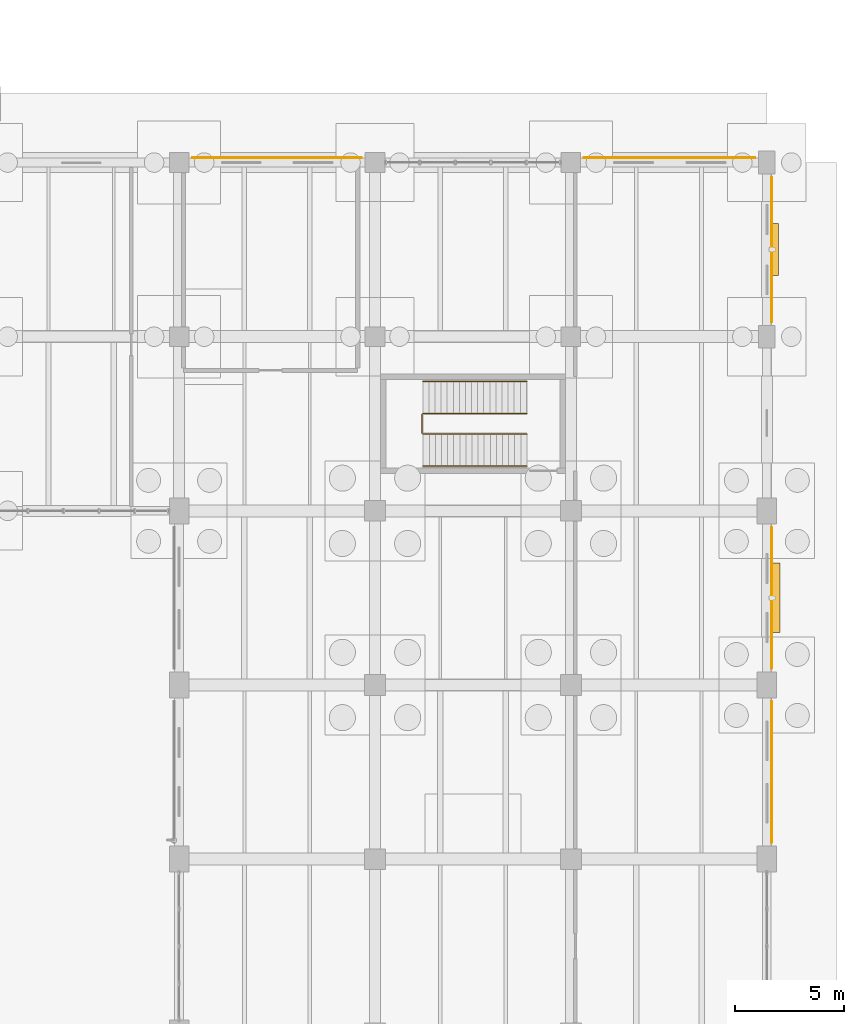
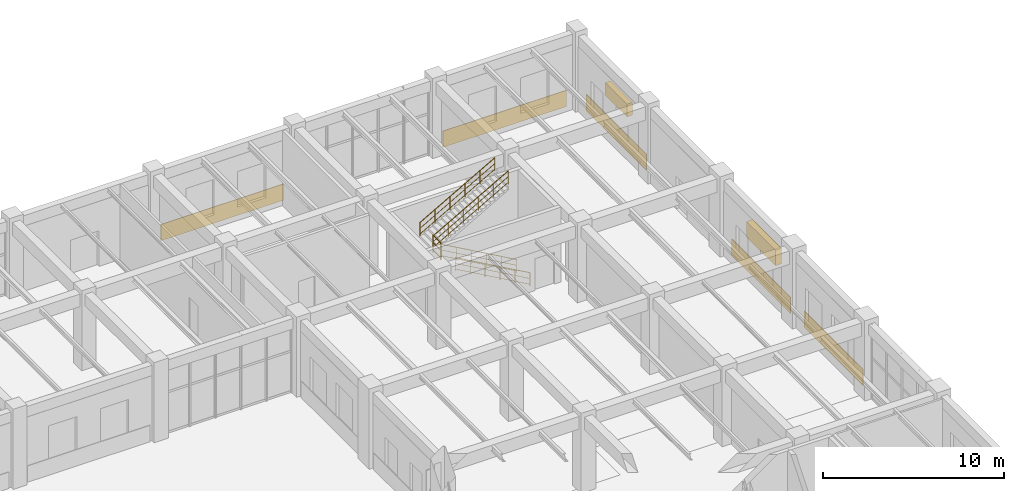
# One storey, part 119 of 121: 5 coverings, 5 railings, 2 shading devices.
"""IFC4 building model written with IfcOpenShell, lengths in metres."""

import ifcopenshell
import ifcopenshell.guid

model = None  # the IFC model being written
_history = None  # IfcOwnerHistory: only IFC2X3 demands one
_inside = {}  # id of a spatial element -> (the spatial element, [elements in it])
_under = {}  # id of a project, library or spatial element -> (it, [spatial elements below it])
_declared = {}  # id of a project -> (the project, [libraries it declares])
_typed = {}  # id of a type object -> (the type object, [elements of that type])
_made_of = {}  # id of a material, layer set ... -> (it, [elements and type objects made of it])


def new_model(schema):
    """Start an empty IFC model of exactly this schema.

    Asked for "IFC4X3", IfcOpenShell would pick the latest addendum, in which some entities
    have other attributes; the version numbers below select the first issue.
    IFC2X3 requires an IfcOwnerHistory on every rooted entity: one is made here for all.
    """
    global model, _history
    if schema == "IFC4X3":
        model = ifcopenshell.file(schema_version=(4, 3, 0, 0))
    else:
        model = ifcopenshell.file(schema=schema)
    _inside.clear()
    _under.clear()
    _declared.clear()
    _typed.clear()
    _made_of.clear()
    _history = None
    if model.schema == "IFC2X3":
        org = make("IfcOrganization", Name="unknown")
        user = make(
            "IfcPersonAndOrganization",
            ThePerson=make("IfcPerson", FamilyName="unknown"),
            TheOrganization=org,
        )
        app = make(
            "IfcApplication",
            ApplicationDeveloper=org,
            Version="unknown",
            ApplicationFullName="unknown",
            ApplicationIdentifier="unknown",
        )
        _history = make(
            "IfcOwnerHistory",
            OwningUser=user,
            OwningApplication=app,
            ChangeAction="ADDED",
            CreationDate=0,
        )
    return model


def make(cls, **values):
    """One entity of the class cls with the attributes given. An attribute that is None is left unset."""
    return model.create_entity(
        cls, **{name: value for name, value in values.items() if value is not None}
    )


def rooted(cls, **values):
    """An entity with a GlobalId (a new one), such as an element, a storey or a relation."""
    return make(cls, GlobalId=ifcopenshell.guid.new(), OwnerHistory=_history, **values)


def si_unit(unit_type, name, prefix=None):
    """IfcSIUnit, for example si_unit("LENGTHUNIT", "METRE", prefix="MILLI")."""
    return make("IfcSIUnit", UnitType=unit_type, Prefix=prefix, Name=name)


def derived_unit(unit_type, elements):
    """IfcDerivedUnit: a product of units, each with its exponent."""
    return make(
        "IfcDerivedUnit",
        Elements=[
            make("IfcDerivedUnitElement", Unit=unit, Exponent=power)
            for unit, power in elements
        ],
        UnitType=unit_type,
    )


def assignment(units):
    """IfcUnitAssignment: the units of a project."""
    return None if units is None else make("IfcUnitAssignment", Units=units)


def point(xyz):
    """IfcCartesianPoint."""
    return None if xyz is None else make("IfcCartesianPoint", Coordinates=xyz)


def direction(xyz):
    """IfcDirection."""
    return None if xyz is None else make("IfcDirection", DirectionRatios=xyz)


def frame(location, z_axis=None, x_axis=None):
    """IfcAxis2Placement3D, a coordinate frame: its origin and axes. An axis left out is left unset."""
    return make(
        "IfcAxis2Placement3D",
        Location=point(location),
        Axis=direction(z_axis),
        RefDirection=direction(x_axis),
    )


def frame_2d(location, x_axis=None):
    """IfcAxis2Placement2D, a coordinate frame in the plane: its origin and x axis."""
    return make(
        "IfcAxis2Placement2D", Location=point(location), RefDirection=direction(x_axis)
    )


def origin():
    """The frame at (0, 0, 0) with its axes left unset."""
    return frame((0.0, 0.0, 0.0))


def origin_2d():
    """The frame at (0, 0) in the plane with its x axis left unset."""
    return frame_2d((0.0, 0.0))


def place(relative_to, where):
    """IfcLocalPlacement: puts the frame where relative to a parent placement (None: the world)."""
    return make(
        "IfcLocalPlacement", PlacementRelTo=relative_to, RelativePlacement=where
    )


def context(
    kind, dimensions, precision=None, world=None, true_north=None, identifier=None
):
    """IfcGeometricRepresentationContext, for example the 3D "Model" context."""
    return make(
        "IfcGeometricRepresentationContext",
        ContextIdentifier=identifier,
        ContextType=kind,
        CoordinateSpaceDimension=dimensions,
        Precision=precision,
        WorldCoordinateSystem=world,
        TrueNorth=true_north,
    )


def subcontext(parent, identifier, kind, view, scale=None):
    """IfcGeometricRepresentationSubContext, for example "Body" below "Model"."""
    return make(
        "IfcGeometricRepresentationSubContext",
        ContextIdentifier=identifier,
        ContextType=kind,
        ParentContext=parent,
        TargetScale=scale,
        TargetView=view,
    )


def project(units=None, contexts=None):
    """IfcProject with its units and contexts."""
    return rooted(
        "IfcProject",
        Name="project",
        RepresentationContexts=contexts,
        UnitsInContext=assignment(units),
    )


def spatial(cls, under=None, at=None, **own):
    """A site, building, storey or space (cls), placed at a placement, below another one or the project."""
    s = rooted(cls, ObjectPlacement=at, **own)
    if under is not None:
        _under.setdefault(under.id(), (under, []))[1].append(s)
    return s


def profile(cls, at=None, kind="AREA", **sizes):
    """A parametric profile (cls). Its sizes go by their IFC names, for example OverallWidth=200.0."""
    return make(cls, ProfileType=kind, Position=at, **sizes)


def rectangle(**sizes):
    """IfcRectangleProfileDef."""
    return profile("IfcRectangleProfileDef", **sizes)


def circle(**sizes):
    """IfcCircleProfileDef."""
    return profile("IfcCircleProfileDef", **sizes)


def extrude(swept, where, along, depth):
    """IfcExtrudedAreaSolid: the profile swept, set in the frame where, extruded along a direction by depth."""
    return make(
        "IfcExtrudedAreaSolid",
        SweptArea=swept,
        Position=where,
        ExtrudedDirection=direction(along),
        Depth=depth,
    )


def shape(context_of_items, identifier, shape_type, items):
    """IfcShapeRepresentation: the items that make up one representation, for example the "Body"."""
    return make(
        "IfcShapeRepresentation",
        ContextOfItems=context_of_items,
        RepresentationIdentifier=identifier,
        RepresentationType=shape_type,
        Items=items,
    )


def material(Name=None, Category=None):
    """IfcMaterial."""
    return make("IfcMaterial", Name=Name, Category=Category)


def layer(
    of_material, thickness, ventilated=None, Name=None, Category=None, Priority=None
):
    """IfcMaterialLayer: one layer of a wall or slab, of a material (None: an air gap)."""
    return make(
        "IfcMaterialLayer",
        Material=of_material,
        LayerThickness=thickness,
        IsVentilated=ventilated,
        Name=Name,
        Category=Category,
        Priority=Priority,
    )


def layer_set(layers, Name=None):
    """IfcMaterialLayerSet."""
    return make("IfcMaterialLayerSet", MaterialLayers=layers, LayerSetName=Name)


def made_of(thing, what):
    """Note that an element or type object is made of a material, layer set ...; save() writes the relation."""
    if what is not None:
        _made_of.setdefault(what.id(), (what, []))[1].append(thing)
    return thing


def type_object(cls, material=None, **own):
    """A type object (cls), such as IfcWallType, which elements share."""
    return made_of(rooted(cls, **own), material)


def element(
    cls,
    number,
    at=None,
    inside=None,
    cuts=None,
    type_object=None,
    material=None,
    context=None,
    identifier="Body",
    shape_type=None,
    held_by="IfcProductDefinitionShape",
    body=None,
    shapes=None,
    **own,
):
    """One element of the class cls, such as IfcWall. Its Tag is "e" and its number.

    at: its placement. inside: the storey or other place that contains it. cuts: it is an
    opening in that element (IfcRelVoidsElement). A single representation is given by context,
    identifier, shape_type and body (its items); several are given by shapes. held_by: the class
    of the entity that holds the representations. save() writes the other relations.
    """
    e = rooted(cls, Tag="e%d" % number, ObjectPlacement=at, **own)
    if body is not None:
        shapes = [shape(context, identifier, shape_type, body)]
    if shapes is not None:
        e.Representation = make(held_by, Representations=shapes)
    if inside is not None:
        _inside.setdefault(inside.id(), (inside, []))[1].append(e)
    if cuts is not None:
        rooted(
            "IfcRelVoidsElement", RelatingBuildingElement=cuts, RelatedOpeningElement=e
        )
    if type_object is not None:
        _typed.setdefault(type_object.id(), (type_object, []))[1].append(e)
    return made_of(e, material)


def aggregate(whole, parts):
    """IfcRelAggregates: a whole, such as a stair, and the parts it consists of."""
    return rooted("IfcRelAggregates", RelatingObject=whole, RelatedObjects=parts)


def save(model, path):
    """Write the relations noted so far, then the file.

    IfcRelAggregates (storeys below a building ...), IfcRelContainedInSpatialStructure (elements
    in a storey), IfcRelDefinesByType, IfcRelAssociatesMaterial and IfcRelDeclares: one each for
    every whole, place, type object, material and project.
    """
    for whole, parts in _under.values():
        aggregate(whole, parts)
    for where, things in _inside.values():
        rooted(
            "IfcRelContainedInSpatialStructure",
            RelatedElements=things,
            RelatingStructure=where,
        )
    for kind, things in _typed.values():
        rooted("IfcRelDefinesByType", RelatedObjects=things, RelatingType=kind)
    for what, things in _made_of.values():
        rooted("IfcRelAssociatesMaterial", RelatedObjects=things, RelatingMaterial=what)
    for by, libraries in _declared.values():
        rooted("IfcRelDeclares", RelatingContext=by, RelatedDefinitions=libraries)
    model.write(path)


model = new_model("IFC4")

# Units and contexts
model_context = context("Model", 3, precision=1e-05, world=origin(), true_north=direction((0.0, 1.0)))
body_context = subcontext(model_context, "Body", "Model", "MODEL_VIEW")
ifc_project = project(units=[si_unit("LENGTHUNIT", "METRE"), si_unit("AREAUNIT", "SQUARE_METRE"), si_unit("VOLUMEUNIT", "CUBIC_METRE"), si_unit("PLANEANGLEUNIT", "RADIAN"), si_unit("MASSUNIT", "GRAM", prefix="KILO"), derived_unit("THERMALTRANSMITTANCEUNIT", [(si_unit("MASSUNIT", "GRAM", prefix="KILO"), 1), (si_unit("TIMEUNIT", "SECOND"), -3), (si_unit("THERMODYNAMICTEMPERATUREUNIT", "KELVIN"), -1)])], contexts=[model_context])

# Site, building, storey
site_placement = place(None, origin())
site = spatial("IfcSite", under=ifc_project, at=site_placement, CompositionType="ELEMENT")
building_placement = place(site_placement, origin())
building = spatial("IfcBuilding", under=site, at=building_placement, Name="Zhenchuan Archway Interchange", CompositionType="ELEMENT")
storey_placement = place(building_placement, origin())
storey = spatial("IfcBuildingStorey", under=building, at=storey_placement, Name="L00", CompositionType="ELEMENT", Elevation=0.0)

# Coverings
ifc_material_1 = material(Name="Granite Stone Cladding", Category="masonry")
ifc_layer = layer(ifc_material_1, 0.0400390625)
ifc_layer_set = layer_set([ifc_layer], Name="Granite Stone Cladding")
covering_type = type_object("IfcCoveringType", Name="COV_CLAD_GRANITE", PredefinedType="CLADDING", material=ifc_layer_set)
covering_1_placement = place(storey_placement, frame((148.5, 104.22802734375, 0.0), z_axis=(0.0, 0.0, 1.0), x_axis=(1.0, 0.0, 0.0)))
element("IfcCovering", 1, at=covering_1_placement, inside=storey, type_object=covering_type, Name="Pearl-grey granite plinth band 062", PredefinedType="CLADDING", context=body_context, shape_type="SweptSolid", body=[
    extrude(rectangle(XDim=7.803955078125, YDim=0.0400390625, at=origin_2d()), origin(), (0.0, 0.0, 1.0), 1.10009765625),
])
covering_2_placement = place(storey_placement, frame((166.53759765625, 104.22802734375, 0.0), z_axis=(0.0, 0.0, 1.0), x_axis=(1.0, 0.0, 0.0)))
element("IfcCovering", 2, at=covering_2_placement, inside=storey, type_object=covering_type, Name="Pearl-grey granite plinth band 064", PredefinedType="CLADDING", context=body_context, shape_type="SweptSolid", body=[
    extrude(rectangle(XDim=7.87890625, YDim=0.0400390625, at=origin_2d()), origin(), (0.0, 0.0, 1.0), 1.10009765625),
])
covering_3_placement = place(storey_placement, frame((171.22802734375, 100.0, 0.0), z_axis=(0.0, 0.0, 1.0), x_axis=(0.0, -1.0, 0.0)))
element("IfcCovering", 3, at=covering_3_placement, inside=storey, type_object=covering_type, Name="Pearl-grey granite plinth band 065", PredefinedType="CLADDING", context=body_context, shape_type="SweptSolid", body=[
    extrude(rectangle(XDim=6.654052734375, YDim=0.0400390625, at=origin_2d()), origin(), (0.0, 0.0, 1.0), 1.10009765625),
])
for number, where, z_axis, x_axis, name in (
    (4, (171.22802734375, 84.0, 0.0), (0.0, 0.0, 1.0), (0.0, -1.0, 0.0), "Pearl-grey granite plinth band 067"),
    (5, (171.22802734375, 76.0, 0.0), (0.0, 0.0, 1.0), (0.0, -1.0, 0.0), "Pearl-grey granite plinth band 068"),
):
    element("IfcCovering", number, at=place(storey_placement, frame(where, z_axis=z_axis, x_axis=x_axis)), inside=storey, type_object=covering_type, Name=name, PredefinedType="CLADDING", context=body_context, shape_type="SweptSolid", body=[
        extrude(rectangle(XDim=6.50390625, YDim=0.0400390625, at=origin_2d()), origin(), (0.0, 0.0, 1.0), 1.10009765625),
    ])

# Railings
ifc_material_2 = material(Name="Painted Galvanised Steel", Category="steel")
railing_type_1 = type_object("IfcRailingType", Name="RL_GUARD_1150", PredefinedType="GUARDRAIL", material=ifc_material_2)
railing_placement = place(storey_placement, frame((155.155029296875, 91.56494140625, 2.699951171875)))
element("IfcRailing", 6, at=railing_placement, inside=storey, type_object=railing_type_1, Name="Stair ST-O3 half-landing slot guard (L00)", PredefinedType="GUARDRAIL", context=body_context, shape_type="SweptSolid", body=[
    extrude(circle(Radius=0.02392578125, at=origin_2d()), frame((0.0, 0.0, 1.1259765625), z_axis=(0.0, 1.0, 0.0), x_axis=(-1.0, 0.0, 0.0)), (0.0, 0.0, 1.0), 0.8701171875),
    extrude(circle(Radius=0.01611328125, at=origin_2d()), frame((0.0, 0.0, 0.63232421875), z_axis=(0.0, 1.0, 0.0), x_axis=(-1.0, 0.0, 0.0)), (0.0, 0.0, 1.0), 0.8701171875),
    extrude(circle(Radius=0.01611328125, at=origin_2d()), frame((0.0, 0.0, 0.1201171875), z_axis=(0.0, 1.0, 0.0), x_axis=(-1.0, 0.0, 0.0)), (0.0, 0.0, 1.0), 0.8701171875),
    extrude(circle(Radius=0.02099609375, at=origin_2d()), origin(), (0.0, 0.0, 1.0), 1.1259765625),
    extrude(circle(Radius=0.02099609375, at=origin_2d()), frame((0.0, 0.8701171875, 0.0)), (0.0, 0.0, 1.0), 1.1259765625),
])
ifc_material_3 = material(Name="Stainless Steel 304", Category="steel")
railing_type_2 = type_object("IfcRailingType", Name="RL_HAND_920", PredefinedType="HANDRAIL", material=ifc_material_3)
for number, where, name in (
    (7, (159.97509765625, 90.054931640625, 0.14990234375), "Stair ST-O3 handrail 1 (L00)"),
    (8, (159.97509765625, 91.52490234375, 0.14990234375), "Stair ST-O3 handrail 2 (L00)"),
):
    element("IfcRailing", number, at=place(storey_placement, frame(where)), inside=storey, type_object=railing_type_2, Name=name, PredefinedType="HANDRAIL", context=body_context, shape_type="SweptSolid", body=[
        extrude(circle(Radius=0.02392578125, at=origin_2d()), frame((0.0, 0.0, 0.89599609375), z_axis=(-0.87068456393, 0.0, 0.491841834469), x_axis=(0.0, -1.0, 0.0)), (0.0, 0.0, 1.0), 5.489990234375),
        extrude(circle(Radius=0.01611328125, at=origin_2d()), frame((0.0, 0.0, 0.505859375), z_axis=(-0.87068456393, 0.0, 0.491841834469), x_axis=(0.0, -1.0, 0.0)), (0.0, 0.0, 1.0), 5.489990234375),
        extrude(circle(Radius=0.01611328125, at=origin_2d()), frame((0.0, 0.0, 0.1201171875), z_axis=(-0.87068456393, 0.0, 0.491841834469), x_axis=(0.0, -1.0, 0.0)), (0.0, 0.0, 1.0), 5.489990234375),
        extrude(circle(Radius=0.02099609375, at=origin_2d()), origin(), (0.0, 0.0, 1.0), 0.89599609375),
        extrude(circle(Radius=0.02099609375, at=origin_2d()), frame((-0.9560546875, 0.0, 0.5400390625)), (0.0, 0.0, 1.0), 0.89599609375),
        extrude(circle(Radius=0.02099609375, at=origin_2d()), frame((-1.912109375, 0.0, 1.080078125)), (0.0, 0.0, 1.0), 0.89599609375),
        extrude(circle(Radius=0.02099609375, at=origin_2d()), frame((-2.867919921875, 0.0, 1.6201171875)), (0.0, 0.0, 1.0), 0.89599609375),
        extrude(circle(Radius=0.02099609375, at=origin_2d()), frame((-3.823974609375, 0.0, 2.16015625)), (0.0, 0.0, 1.0), 0.89599609375),
        extrude(circle(Radius=0.02099609375, at=origin_2d()), frame((-4.780029296875, 0.0, 2.7001953125)), (0.0, 0.0, 1.0), 0.89599609375),
    ])
for number, where, name in (
    (9, (155.195068359375, 92.47509765625, 2.85009765625), "Stair ST-O3 handrail 3 (L00)"),
    (10, (155.195068359375, 93.945068359375, 2.85009765625), "Stair ST-O3 handrail 4 (L00)"),
):
    element("IfcRailing", number, at=place(storey_placement, frame(where)), inside=storey, type_object=railing_type_2, Name=name, PredefinedType="HANDRAIL", context=body_context, shape_type="SweptSolid", body=[
        extrude(circle(Radius=0.02392578125, at=origin_2d()), frame((0.0, 0.0, 0.89599609375), z_axis=(0.870703607627, 0.0, 0.49180812078), x_axis=(0.0, 1.0, 0.0)), (0.0, 0.0, 1.0), 5.48974609375),
        extrude(circle(Radius=0.01611328125, at=origin_2d()), frame((0.0, 0.0, 0.505859375), z_axis=(0.870703607627, 0.0, 0.49180812078), x_axis=(0.0, 1.0, 0.0)), (0.0, 0.0, 1.0), 5.48974609375),
        extrude(circle(Radius=0.01611328125, at=origin_2d()), frame((0.0, 0.0, 0.1201171875), z_axis=(0.870703607627, 0.0, 0.49180812078), x_axis=(0.0, 1.0, 0.0)), (0.0, 0.0, 1.0), 5.48974609375),
        extrude(circle(Radius=0.02099609375, at=origin_2d()), origin(), (0.0, 0.0, 1.0), 0.89599609375),
        extrude(circle(Radius=0.02099609375, at=origin_2d()), frame((0.9560546875, 0.0, 0.5400390625)), (0.0, 0.0, 1.0), 0.89599609375),
        extrude(circle(Radius=0.02099609375, at=origin_2d()), frame((1.912109375, 0.0, 1.080078125)), (0.0, 0.0, 1.0), 0.89599609375),
        extrude(circle(Radius=0.02099609375, at=origin_2d()), frame((2.867919921875, 0.0, 1.619873046875)), (0.0, 0.0, 1.0), 0.89599609375),
        extrude(circle(Radius=0.02099609375, at=origin_2d()), frame((3.823974609375, 0.0, 2.159912109375)), (0.0, 0.0, 1.0), 0.89599609375),
        extrude(circle(Radius=0.02099609375, at=origin_2d()), frame((4.780029296875, 0.0, 2.699951171875)), (0.0, 0.0, 1.0), 0.89599609375),
    ])

# Shading devices
ifc_material_4 = material(Name="Anodised Aluminium", Category="aluminium")
shading_device_type_1 = type_object("IfcShadingDeviceType", Name="SHD_LOUVRE_2", PredefinedType="JALOUSIE", material=ifc_material_4)
shading_device_1_placement = place(storey_placement, frame((171.3740234375, 100.0, 2.324951171875), z_axis=(0.0, 0.0, 1.0), x_axis=(0.0, -1.0, 0.0)))
element("IfcShadingDevice", 11, at=shading_device_1_placement, inside=storey, type_object=shading_device_type_1, Name="Monsoon storm-louvre jalousie L00-013", PredefinedType="JALOUSIE", context=body_context, shape_type="SweptSolid", body=[
    extrude(rectangle(XDim=2.39990234375, YDim=0.340087890625, at=origin_2d()), origin(), (0.0, 0.0, 1.0), 0.85009765625),
])
shading_device_type_2 = type_object("IfcShadingDeviceType", Name="SHD_LOUVRE_3", PredefinedType="JALOUSIE", material=ifc_material_4)
shading_device_2_placement = place(storey_placement, frame((171.404052734375, 84.0, 2.22509765625), z_axis=(0.0, 0.0, 1.0), x_axis=(0.0, -1.0, 0.0)))
element("IfcShadingDevice", 12, at=shading_device_2_placement, inside=storey, type_object=shading_device_type_2, Name="Monsoon storm-louvre jalousie L00-014", PredefinedType="JALOUSIE", context=body_context, shape_type="SweptSolid", body=[
    extrude(rectangle(XDim=3.199951171875, YDim=0.39990234375, at=origin_2d()), origin(), (0.0, 0.0, 1.0), 1.050048828125),
])

save(model, "model.ifc")
